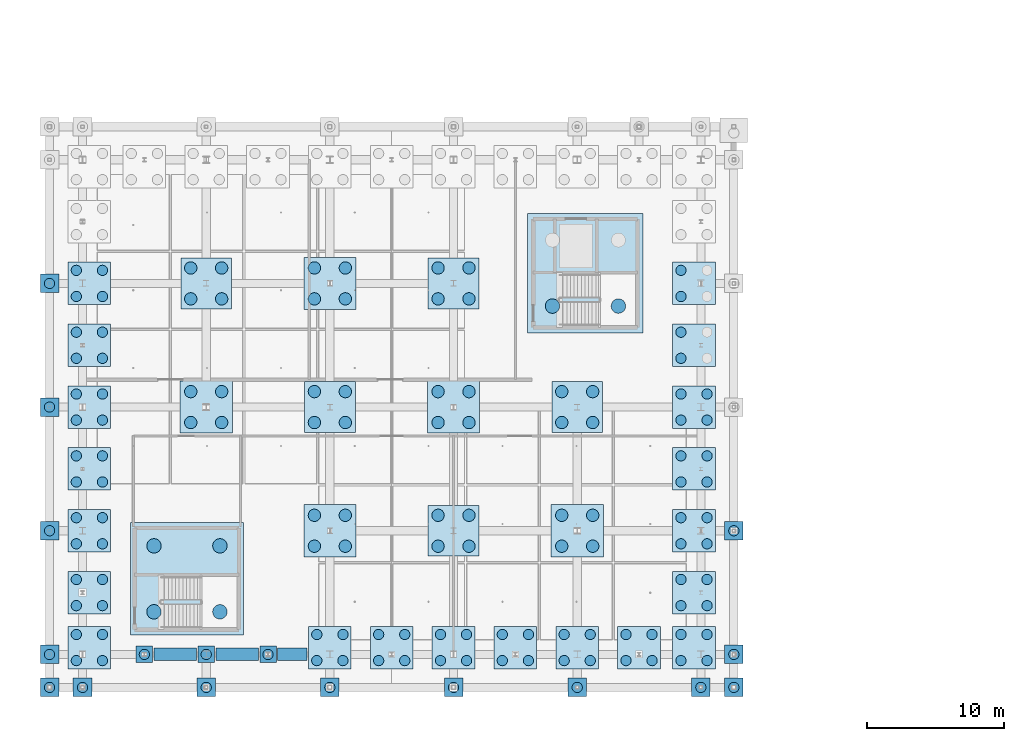
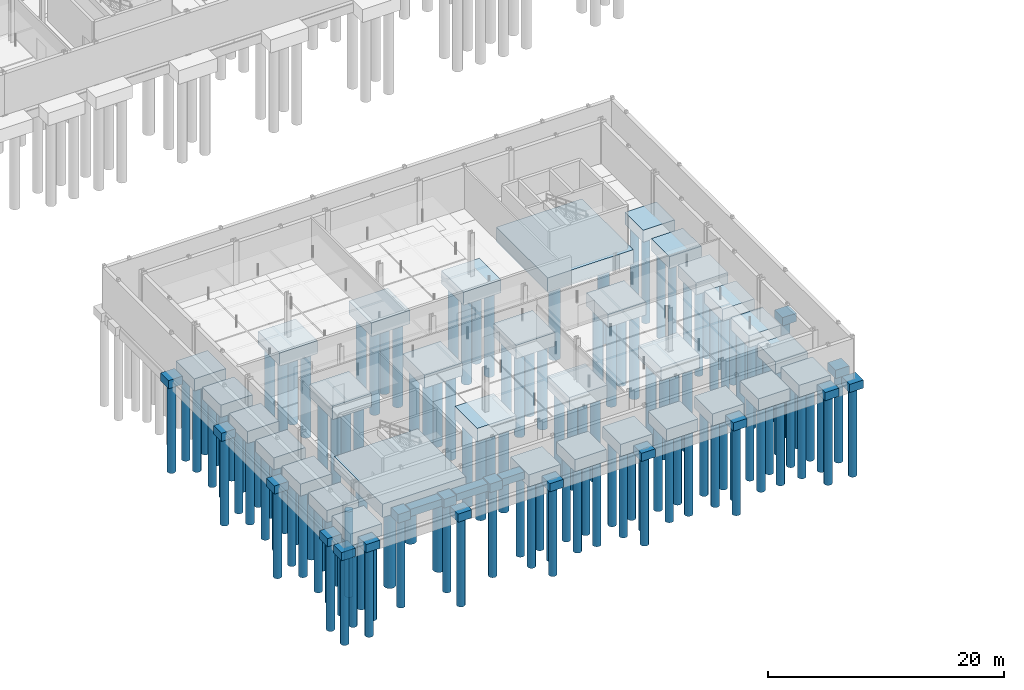
# One storey, part 1 of 48: 139 piles, 52 footings.
"""IFC4 building model written with IfcOpenShell, lengths in metres."""

from ifc_helpers import new_model, si_unit, direction, frame, origin, origin_2d, place, context, subcontext, project, spatial, rectangle, circle, extrude, material, material_profile, profile_set, type_object, element, save


model = new_model("IFC4")

# Units and contexts
model_context = context("Model", 3, precision=1e-05, world=origin(), true_north=direction((0.0, 1.0)))
body_context = subcontext(model_context, "Body", "Model", "MODEL_VIEW")
ifc_project = project(units=[si_unit("LENGTHUNIT", "METRE"), si_unit("AREAUNIT", "SQUARE_METRE"), si_unit("VOLUMEUNIT", "CUBIC_METRE"), si_unit("PLANEANGLEUNIT", "RADIAN"), si_unit("MASSUNIT", "GRAM", prefix="KILO"), si_unit("THERMODYNAMICTEMPERATUREUNIT", "KELVIN"), si_unit("POWERUNIT", "WATT")], contexts=[model_context])

# Site, building, storey
site_placement = place(None, origin())
site = spatial("IfcSite", under=ifc_project, at=site_placement, CompositionType="ELEMENT")
building_placement = place(site_placement, origin())
building = spatial("IfcBuilding", under=site, at=building_placement, Name="Tallowbark Science Centre", CompositionType="ELEMENT")
storey_placement = place(building_placement, frame((0.0, 0.0, -4.5)))
storey = spatial("IfcBuildingStorey", under=building, at=storey_placement, Name="B1", CompositionType="ELEMENT", Elevation=-4.5)

# Footings
ifc_material = material(Name="Concrete Grade N40 (40 MPa)", Category="concrete")
footing_type_1 = type_object("IfcFootingType", Name="FTG-CORE-C3", PredefinedType="PILE_CAP", material=ifc_material)
footing_1_placement = place(storey_placement, frame((95.10009765625, 32.25, -1.5), z_axis=(0.0, 0.0, 1.0), x_axis=(1.0, 0.0, 0.0)))
element("IfcFooting", 1, at=footing_1_placement, inside=storey, type_object=footing_type_1, Name="Core Mat Pile Cap C3", PredefinedType="PILE_CAP", context=body_context, shape_type="SweptSolid", body=[
    extrude(rectangle(XDim=8.39990234375, YDim=8.699951171875, at=origin_2d()), origin(), (0.0, 0.0, 1.0), 1.5),
])
footing_type_2 = type_object("IfcFootingType", Name="FTG-CORE-C7", PredefinedType="PILE_CAP", material=ifc_material)
footing_2_placement = place(storey_placement, frame((66.10009765625, 10.0, -1.39990234375), z_axis=(0.0, 0.0, 1.0), x_axis=(1.0, 0.0, 0.0)))
element("IfcFooting", 2, at=footing_2_placement, inside=storey, type_object=footing_type_2, Name="Core Mat Pile Cap C7", PredefinedType="PILE_CAP", context=body_context, shape_type="SweptSolid", body=[
    extrude(rectangle(XDim=8.199951171875, YDim=8.199951171875, at=origin_2d()), origin(), (0.0, 0.0, 1.0), 1.39990234375),
])
footing_type_3 = type_object("IfcFootingType", Name="FTG-PC1-110", PredefinedType="PILE_CAP", material=ifc_material)
for number, where, z_axis, x_axis, name in (
    (3, (67.5, 4.5, -0.89990234375), (0.0, 0.0, 1.0), (1.0, 0.0, 0.0), "Pile Cap CUB-M1_0"),
    (4, (63.0, 4.5, -0.89990234375), (0.0, 0.0, 1.0), (1.0, 0.0, 0.0), "Pile Cap CUB-PS-0"),
    (5, (72.0, 4.5, -0.89990234375), (0.0, 0.0, 1.0), (1.0, 0.0, 0.0), "Pile Cap CUB-PS-1"),
):
    element("IfcFooting", number, at=place(storey_placement, frame(where, z_axis=z_axis, x_axis=x_axis)), inside=storey, type_object=footing_type_3, Name=name, PredefinedType="PILE_CAP", context=body_context, shape_type="SweptSolid", body=[
        extrude(rectangle(XDim=1.199951171875, YDim=1.199951171875, at=origin_2d()), origin(), (0.0, 0.0, 1.0), 0.89990234375),
    ])
footing_type_4 = type_object("IfcFootingType", Name="FTG-PC1-130", PredefinedType="PILE_CAP", material=ifc_material)
for number, where, z_axis, x_axis, name in (
    (6, (56.10009765625, 2.10009765625, -0.85009765625), (0.0, 0.0, 1.0), (1.0, 0.0, 0.0), "Pile Cap SCR-S00"),
    (7, (58.5, 2.10009765625, -0.85009765625), (0.0, 0.0, 1.0), (1.0, 0.0, 0.0), "Pile Cap SCR-S01"),
    (8, (67.5, 2.10009765625, -0.85009765625), (0.0, 0.0, 1.0), (1.0, 0.0, 0.0), "Pile Cap SCR-S02"),
    (9, (76.5, 2.10009765625, -0.85009765625), (0.0, 0.0, 1.0), (1.0, 0.0, 0.0), "Pile Cap SCR-S03"),
    (10, (85.5, 2.10009765625, -0.85009765625), (0.0, 0.0, 1.0), (1.0, 0.0, 0.0), "Pile Cap SCR-S04"),
    (11, (94.5, 2.10009765625, -0.85009765625), (0.0, 0.0, 1.0), (1.0, 0.0, 0.0), "Pile Cap SCR-S05"),
    (12, (103.5, 2.10009765625, -0.85009765625), (0.0, 0.0, 1.0), (1.0, 0.0, 0.0), "Pile Cap SCR-S06"),
    (13, (105.89990234375, 2.10009765625, -0.85009765625), (0.0, 0.0, 1.0), (1.0, 0.0, 0.0), "Pile Cap SCR-S07"),
    (14, (56.10009765625, 4.5, -0.85009765625), (0.0, 0.0, 1.0), (1.0, 0.0, 0.0), "Pile Cap SCR-W01"),
    (15, (105.89990234375, 4.5, -0.85009765625), (0.0, 0.0, 1.0), (1.0, 0.0, 0.0), "Pile Cap SCR-E01"),
    (16, (56.10009765625, 13.5, -0.85009765625), (0.0, 0.0, 1.0), (1.0, 0.0, 0.0), "Pile Cap SCR-W02"),
    (17, (105.89990234375, 13.5, -0.85009765625), (0.0, 0.0, 1.0), (1.0, 0.0, 0.0), "Pile Cap SCR-E02"),
    (18, (56.10009765625, 22.5, -0.85009765625), (0.0, 0.0, 1.0), (1.0, 0.0, 0.0), "Pile Cap SCR-W03"),
    (19, (56.10009765625, 31.5, -0.85009765625), (0.0, 0.0, 1.0), (1.0, 0.0, 0.0), "Pile Cap SCR-W04"),
):
    element("IfcFooting", number, at=place(storey_placement, frame(where, z_axis=z_axis, x_axis=x_axis)), inside=storey, type_object=footing_type_4, Name=name, PredefinedType="PILE_CAP", context=body_context, shape_type="SweptSolid", body=[
        extrude(rectangle(XDim=1.35009765625, YDim=1.35009765625, at=origin_2d()), origin(), (0.0, 0.0, 1.0), 0.85009765625),
    ])
footing_type_5 = type_object("IfcFootingType", Name="FTG-PC4-230", PredefinedType="PILE_CAP", material=ifc_material)
for number, where, z_axis, x_axis, name in (
    (20, (59.0, 5.0, -1.25), (0.0, 0.0, 1.0), (1.0, 0.0, 0.0), "Pile Cap CUB-M0_0"),
    (21, (59.0, 13.5, -1.25), (0.0, 0.0, 1.0), (1.0, 0.0, 0.0), "Pile Cap CUB-M0_1"),
    (22, (59.0, 22.5, -1.25), (0.0, 0.0, 1.0), (1.0, 0.0, 0.0), "Pile Cap CUB-M0_2"),
    (23, (59.0, 31.5, -1.25), (0.0, 0.0, 1.0), (1.0, 0.0, 0.0), "Pile Cap CUB-M0_3"),
    (24, (76.5, 5.0, -1.25), (0.0, 0.0, 1.0), (1.0, 0.0, 0.0), "Pile Cap CUB-M2_0"),
    (25, (85.5, 5.0, -1.25), (0.0, 0.0, 1.0), (1.0, 0.0, 0.0), "Pile Cap CUB-M3_0"),
    (26, (94.5, 5.0, -1.25), (0.0, 0.0, 1.0), (1.0, 0.0, 0.0), "Pile Cap CUB-M4_0"),
    (27, (103.0, 5.0, -1.25), (0.0, 0.0, 1.0), (1.0, 0.0, 0.0), "Pile Cap CUB-M5_0"),
    (28, (103.0, 13.5, -1.25), (0.0, 0.0, 1.0), (1.0, 0.0, 0.0), "Pile Cap CUB-M5_1"),
    (29, (103.0, 22.5, -1.25), (0.0, 0.0, 1.0), (1.0, 0.0, 0.0), "Pile Cap CUB-M5_2"),
    (30, (103.0, 31.5, -1.25), (0.0, 0.0, 1.0), (1.0, 0.0, 0.0), "Pile Cap CUB-M5_3"),
    (31, (81.0, 5.0, -1.25), (0.0, 0.0, 1.0), (1.0, 0.0, 0.0), "Pile Cap CUB-PSB-2"),
    (32, (90.0, 5.0, -1.25), (0.0, 0.0, 1.0), (1.0, 0.0, 0.0), "Pile Cap CUB-PS-3"),
    (33, (99.0, 5.0, -1.25), (0.0, 0.0, 1.0), (1.0, 0.0, 0.0), "Pile Cap CUB-PS-4"),
    (34, (59.0, 9.0, -1.25), (0.0, 0.0, 1.0), (1.0, 0.0, 0.0), "Pile Cap CUB-PW-0"),
    (35, (103.0, 9.0, -1.25), (0.0, 0.0, 1.0), (1.0, 0.0, 0.0), "Pile Cap CUB-PE-0"),
    (36, (59.0, 18.0, -1.25), (0.0, 0.0, 1.0), (1.0, 0.0, 0.0), "Pile Cap CUB-PW-1"),
    (37, (103.0, 18.0, -1.25), (0.0, 0.0, 1.0), (1.0, 0.0, 0.0), "Pile Cap CUB-PE-1"),
    (38, (59.0, 27.0, -1.25), (0.0, 0.0, 1.0), (1.0, 0.0, 0.0), "Pile Cap CUB-PW-2"),
    (39, (103.0, 27.0, -1.25), (0.0, 0.0, 1.0), (1.0, 0.0, 0.0), "Pile Cap CUB-PE-2"),
):
    element("IfcFooting", number, at=place(storey_placement, frame(where, z_axis=z_axis, x_axis=x_axis)), inside=storey, type_object=footing_type_5, Name=name, PredefinedType="PILE_CAP", context=body_context, shape_type="SweptSolid", body=[
        extrude(rectangle(XDim=3.10009765625, YDim=3.10009765625, at=origin_2d()), origin(), (0.0, 0.0, 1.0), 1.25),
    ])
footing_type_6 = type_object("IfcFootingType", Name="FTG-PC4-270", PredefinedType="PILE_CAP", material=ifc_material)
for number, where, z_axis, x_axis, name in (
    (40, (67.5, 31.5, -1.35009765625), (0.0, 0.0, 1.0), (1.0, 0.0, 0.0), "Pile Cap CUB-M1_3"),
    (41, (76.5, 22.5, -1.35009765625), (0.0, 0.0, 1.0), (1.0, 0.0, 0.0), "Pile Cap CUB-M2_2"),
    (42, (85.5, 13.5, -1.35009765625), (0.0, 0.0, 1.0), (1.0, 0.0, 0.0), "Pile Cap CUB-M3_1"),
    (43, (85.5, 31.5, -1.35009765625), (0.0, 0.0, 1.0), (1.0, 0.0, 0.0), "Pile Cap CUB-M3_3"),
    (44, (94.5, 22.5, -1.35009765625), (0.0, 0.0, 1.0), (1.0, 0.0, 0.0), "Pile Cap CUB-M4_2"),
):
    element("IfcFooting", number, at=place(storey_placement, frame(where, z_axis=z_axis, x_axis=x_axis)), inside=storey, type_object=footing_type_6, Name=name, PredefinedType="PILE_CAP", context=body_context, shape_type="SweptSolid", body=[
        extrude(rectangle(XDim=3.699951171875, YDim=3.699951171875, at=origin_2d()), origin(), (0.0, 0.0, 1.0), 1.35009765625),
    ])
footing_type_7 = type_object("IfcFootingType", Name="FTG-PC4-280", PredefinedType="PILE_CAP", material=ifc_material)
for number, where, z_axis, x_axis, name in (
    (45, (67.5, 22.5, -1.39990234375), (0.0, 0.0, 1.0), (1.0, 0.0, 0.0), "Pile Cap CUB-M1_2"),
    (46, (76.5, 13.5, -1.39990234375), (0.0, 0.0, 1.0), (1.0, 0.0, 0.0), "Pile Cap CUB-M2_1"),
    (47, (76.5, 31.5, -1.39990234375), (0.0, 0.0, 1.0), (1.0, 0.0, 0.0), "Pile Cap CUB-M2_3"),
    (48, (85.5, 22.5, -1.39990234375), (0.0, 0.0, 1.0), (1.0, 0.0, 0.0), "Pile Cap CUB-M3_2"),
    (49, (94.5, 13.5, -1.39990234375), (0.0, 0.0, 1.0), (1.0, 0.0, 0.0), "Pile Cap CUB-M4_1"),
):
    element("IfcFooting", number, at=place(storey_placement, frame(where, z_axis=z_axis, x_axis=x_axis)), inside=storey, type_object=footing_type_7, Name=name, PredefinedType="PILE_CAP", context=body_context, shape_type="SweptSolid", body=[
        extrude(rectangle(XDim=3.800048828125, YDim=3.800048828125, at=origin_2d()), origin(), (0.0, 0.0, 1.0), 1.39990234375),
    ])
footing_type_8 = type_object("IfcFootingType", Name="FTG-STR-900", PredefinedType="STRIP_FOOTING", material=ifc_material)
for number, where, z_axis, x_axis, name in (
    (50, (65.25, 4.5, -0.75), (0.0, 0.0, 1.0), (1.0, 0.0, 0.0), "Strip Footing STR-S1"),
    (51, (69.75, 4.5, -0.75), (0.0, 0.0, 1.0), (1.0, 0.0, 0.0), "Strip Footing STR-S2"),
):
    element("IfcFooting", number, at=place(storey_placement, frame(where, z_axis=z_axis, x_axis=x_axis)), inside=storey, type_object=footing_type_8, Name=name, PredefinedType="STRIP_FOOTING", context=body_context, shape_type="SweptSolid", body=[
        extrude(rectangle(XDim=3.10009765625, YDim=0.89990234375, at=origin_2d()), origin(), (0.0, 0.0, 1.0), 0.75),
    ])
footing_3_placement = place(storey_placement, frame((73.77490234375, 4.5, -0.75), z_axis=(0.0, 0.0, 1.0), x_axis=(1.0, 0.0, 0.0)))
element("IfcFooting", 52, at=footing_3_placement, inside=storey, type_object=footing_type_8, Name="Strip Footing STR-S3", PredefinedType="STRIP_FOOTING", context=body_context, shape_type="SweptSolid", body=[
    extrude(rectangle(XDim=2.14990234375, YDim=0.89990234375, at=origin_2d()), origin(), (0.0, 0.0, 1.0), 0.75),
])

# Piles
ifc_material_profile_1 = material_profile(ifc_material, circle(Radius=0.52490234375, at=origin_2d()), Name="PILE1050")
ifc_profile_set_1 = profile_set([ifc_material_profile_1], Name="Concrete Grade N40 (40 MPa)")
pile_type_1 = type_object("IfcPileType", Name="PIL-B1050", PredefinedType="BORED", material=ifc_profile_set_1)
for number, where, z_axis, x_axis, name in (
    (53, (92.699951171875, 29.85009765625, -1.35009765625), (0.0, 0.0, -1.0), (1.0, 0.0, 0.0), "Core Bored Pile C3-1"),
    (54, (97.5, 29.85009765625, -1.35009765625), (0.0, 0.0, -1.0), (1.0, 0.0, 0.0), "Core Bored Pile C3-2"),
):
    element("IfcPile", number, at=place(storey_placement, frame(where, z_axis=z_axis, x_axis=x_axis)), inside=storey, type_object=pile_type_1, Name=name, PredefinedType="BORED", context=body_context, shape_type="SweptSolid", body=[
        extrude(circle(Radius=0.52490234375, at=origin_2d()), origin(), (0.0, 0.0, 1.0), 8.64990234375),
    ])
for number, where, z_axis, x_axis, name in (
    (55, (63.699951171875, 7.60009765625, -1.25), (0.0, 0.0, -1.0), (1.0, 0.0, 0.0), "Core Bored Pile C7-1"),
    (56, (68.5, 7.60009765625, -1.25), (0.0, 0.0, -1.0), (1.0, 0.0, 0.0), "Core Bored Pile C7-2"),
    (57, (63.699951171875, 12.39990234375, -1.25), (0.0, 0.0, -1.0), (1.0, 0.0, 0.0), "Core Bored Pile C7-3"),
    (58, (68.5, 12.39990234375, -1.25), (0.0, 0.0, -1.0), (1.0, 0.0, 0.0), "Core Bored Pile C7-4"),
):
    element("IfcPile", number, at=place(storey_placement, frame(where, z_axis=z_axis, x_axis=x_axis)), inside=storey, type_object=pile_type_1, Name=name, PredefinedType="BORED", context=body_context, shape_type="SweptSolid", body=[
        extrude(circle(Radius=0.52490234375, at=origin_2d()), origin(), (0.0, 0.0, 1.0), 8.75),
    ])
ifc_material_profile_2 = material_profile(ifc_material, circle(Radius=0.375, at=origin_2d()), Name="PILE750")
ifc_profile_set_2 = profile_set([ifc_material_profile_2], Name="Concrete Grade N40 (40 MPa)")
pile_type_2 = type_object("IfcPileType", Name="PIL-B750", PredefinedType="BORED", material=ifc_profile_set_2)
for number, where, z_axis, x_axis, name in (
    (59, (58.050048828125, 4.050048828125, -1.10009765625), (0.0, 0.0, -1.0), (1.0, 0.0, 0.0), "Bored Pile CUB-M0_0-1"),
    (60, (59.949951171875, 4.050048828125, -1.10009765625), (0.0, 0.0, -1.0), (1.0, 0.0, 0.0), "Bored Pile CUB-M0_0-2"),
    (61, (58.050048828125, 5.949951171875, -1.10009765625), (0.0, 0.0, -1.0), (1.0, 0.0, 0.0), "Bored Pile CUB-M0_0-3"),
    (62, (59.949951171875, 5.949951171875, -1.10009765625), (0.0, 0.0, -1.0), (1.0, 0.0, 0.0), "Bored Pile CUB-M0_0-4"),
    (63, (58.050048828125, 12.550048828125, -1.10009765625), (0.0, 0.0, -1.0), (1.0, 0.0, 0.0), "Bored Pile CUB-M0_1-1"),
    (64, (59.949951171875, 12.550048828125, -1.10009765625), (0.0, 0.0, -1.0), (1.0, 0.0, 0.0), "Bored Pile CUB-M0_1-2"),
    (65, (58.050048828125, 14.449951171875, -1.10009765625), (0.0, 0.0, -1.0), (1.0, 0.0, 0.0), "Bored Pile CUB-M0_1-3"),
    (66, (59.949951171875, 14.449951171875, -1.10009765625), (0.0, 0.0, -1.0), (1.0, 0.0, 0.0), "Bored Pile CUB-M0_1-4"),
    (67, (58.050048828125, 21.550048828125, -1.10009765625), (0.0, 0.0, -1.0), (1.0, 0.0, 0.0), "Bored Pile CUB-M0_2-1"),
    (68, (59.949951171875, 21.550048828125, -1.10009765625), (0.0, 0.0, -1.0), (1.0, 0.0, 0.0), "Bored Pile CUB-M0_2-2"),
    (69, (58.050048828125, 23.449951171875, -1.10009765625), (0.0, 0.0, -1.0), (1.0, 0.0, 0.0), "Bored Pile CUB-M0_2-3"),
    (70, (59.949951171875, 23.449951171875, -1.10009765625), (0.0, 0.0, -1.0), (1.0, 0.0, 0.0), "Bored Pile CUB-M0_2-4"),
    (71, (58.050048828125, 30.550048828125, -1.10009765625), (0.0, 0.0, -1.0), (1.0, 0.0, 0.0), "Bored Pile CUB-M0_3-1"),
    (72, (59.949951171875, 30.550048828125, -1.10009765625), (0.0, 0.0, -1.0), (1.0, 0.0, 0.0), "Bored Pile CUB-M0_3-2"),
    (73, (58.050048828125, 32.449951171875, -1.10009765625), (0.0, 0.0, -1.0), (1.0, 0.0, 0.0), "Bored Pile CUB-M0_3-3"),
    (74, (59.949951171875, 32.449951171875, -1.10009765625), (0.0, 0.0, -1.0), (1.0, 0.0, 0.0), "Bored Pile CUB-M0_3-4"),
):
    element("IfcPile", number, at=place(storey_placement, frame(where, z_axis=z_axis, x_axis=x_axis)), inside=storey, type_object=pile_type_2, Name=name, PredefinedType="BORED", context=body_context, shape_type="SweptSolid", body=[
        extrude(circle(Radius=0.375, at=origin_2d()), origin(), (0.0, 0.0, 1.0), 8.89990234375),
    ])
pile_placement = place(storey_placement, frame((67.5, 4.5, -0.75), z_axis=(0.0, 0.0, -1.0), x_axis=(1.0, 0.0, 0.0)))
element("IfcPile", 75, at=pile_placement, inside=storey, type_object=pile_type_2, Name="Bored Pile CUB-M1_0-1", PredefinedType="BORED", context=body_context, shape_type="SweptSolid", body=[
    extrude(circle(Radius=0.375, at=origin_2d()), origin(), (0.0, 0.0, 1.0), 9.25),
])
for number, where, z_axis, x_axis, name in (
    (76, (75.550048828125, 4.050048828125, -1.10009765625), (0.0, 0.0, -1.0), (1.0, 0.0, 0.0), "Bored Pile CUB-M2_0-1"),
    (77, (77.449951171875, 4.050048828125, -1.10009765625), (0.0, 0.0, -1.0), (1.0, 0.0, 0.0), "Bored Pile CUB-M2_0-2"),
    (78, (75.550048828125, 5.949951171875, -1.10009765625), (0.0, 0.0, -1.0), (1.0, 0.0, 0.0), "Bored Pile CUB-M2_0-3"),
    (79, (77.449951171875, 5.949951171875, -1.10009765625), (0.0, 0.0, -1.0), (1.0, 0.0, 0.0), "Bored Pile CUB-M2_0-4"),
    (80, (84.550048828125, 4.050048828125, -1.10009765625), (0.0, 0.0, -1.0), (1.0, 0.0, 0.0), "Bored Pile CUB-M3_0-1"),
    (81, (86.449951171875, 4.050048828125, -1.10009765625), (0.0, 0.0, -1.0), (1.0, 0.0, 0.0), "Bored Pile CUB-M3_0-2"),
    (82, (84.550048828125, 5.949951171875, -1.10009765625), (0.0, 0.0, -1.0), (1.0, 0.0, 0.0), "Bored Pile CUB-M3_0-3"),
    (83, (86.449951171875, 5.949951171875, -1.10009765625), (0.0, 0.0, -1.0), (1.0, 0.0, 0.0), "Bored Pile CUB-M3_0-4"),
    (84, (93.550048828125, 4.050048828125, -1.10009765625), (0.0, 0.0, -1.0), (1.0, 0.0, 0.0), "Bored Pile CUB-M4_0-1"),
    (85, (95.449951171875, 4.050048828125, -1.10009765625), (0.0, 0.0, -1.0), (1.0, 0.0, 0.0), "Bored Pile CUB-M4_0-2"),
    (86, (93.550048828125, 5.949951171875, -1.10009765625), (0.0, 0.0, -1.0), (1.0, 0.0, 0.0), "Bored Pile CUB-M4_0-3"),
    (87, (95.449951171875, 5.949951171875, -1.10009765625), (0.0, 0.0, -1.0), (1.0, 0.0, 0.0), "Bored Pile CUB-M4_0-4"),
    (88, (102.050048828125, 4.050048828125, -1.10009765625), (0.0, 0.0, -1.0), (1.0, 0.0, 0.0), "Bored Pile CUB-M5_0-1"),
    (89, (103.949951171875, 4.050048828125, -1.10009765625), (0.0, 0.0, -1.0), (1.0, 0.0, 0.0), "Bored Pile CUB-M5_0-2"),
    (90, (102.050048828125, 5.949951171875, -1.10009765625), (0.0, 0.0, -1.0), (1.0, 0.0, 0.0), "Bored Pile CUB-M5_0-3"),
    (91, (103.949951171875, 5.949951171875, -1.10009765625), (0.0, 0.0, -1.0), (1.0, 0.0, 0.0), "Bored Pile CUB-M5_0-4"),
    (92, (102.050048828125, 12.550048828125, -1.10009765625), (0.0, 0.0, -1.0), (1.0, 0.0, 0.0), "Bored Pile CUB-M5_1-1"),
    (93, (103.949951171875, 12.550048828125, -1.10009765625), (0.0, 0.0, -1.0), (1.0, 0.0, 0.0), "Bored Pile CUB-M5_1-2"),
    (94, (102.050048828125, 14.449951171875, -1.10009765625), (0.0, 0.0, -1.0), (1.0, 0.0, 0.0), "Bored Pile CUB-M5_1-3"),
    (95, (103.949951171875, 14.449951171875, -1.10009765625), (0.0, 0.0, -1.0), (1.0, 0.0, 0.0), "Bored Pile CUB-M5_1-4"),
    (96, (102.050048828125, 21.550048828125, -1.10009765625), (0.0, 0.0, -1.0), (1.0, 0.0, 0.0), "Bored Pile CUB-M5_2-1"),
    (97, (103.949951171875, 21.550048828125, -1.10009765625), (0.0, 0.0, -1.0), (1.0, 0.0, 0.0), "Bored Pile CUB-M5_2-2"),
    (98, (102.050048828125, 23.449951171875, -1.10009765625), (0.0, 0.0, -1.0), (1.0, 0.0, 0.0), "Bored Pile CUB-M5_2-3"),
    (99, (103.949951171875, 23.449951171875, -1.10009765625), (0.0, 0.0, -1.0), (1.0, 0.0, 0.0), "Bored Pile CUB-M5_2-4"),
    (100, (102.050048828125, 30.550048828125, -1.10009765625), (0.0, 0.0, -1.0), (1.0, 0.0, 0.0), "Bored Pile CUB-M5_3-1"),
    (101, (102.050048828125, 32.449951171875, -1.10009765625), (0.0, 0.0, -1.0), (1.0, 0.0, 0.0), "Bored Pile CUB-M5_3-3"),
):
    element("IfcPile", number, at=place(storey_placement, frame(where, z_axis=z_axis, x_axis=x_axis)), inside=storey, type_object=pile_type_2, Name=name, PredefinedType="BORED", context=body_context, shape_type="SweptSolid", body=[
        extrude(circle(Radius=0.375, at=origin_2d()), origin(), (0.0, 0.0, 1.0), 8.89990234375),
    ])
for number, where, z_axis, x_axis, name in (
    (102, (63.0, 4.5, -0.75), (0.0, 0.0, -1.0), (1.0, 0.0, 0.0), "Bored Pile CUB-PS-0-1"),
    (103, (72.0, 4.5, -0.75), (0.0, 0.0, -1.0), (1.0, 0.0, 0.0), "Bored Pile CUB-PS-1-1"),
):
    element("IfcPile", number, at=place(storey_placement, frame(where, z_axis=z_axis, x_axis=x_axis)), inside=storey, type_object=pile_type_2, Name=name, PredefinedType="BORED", context=body_context, shape_type="SweptSolid", body=[
        extrude(circle(Radius=0.375, at=origin_2d()), origin(), (0.0, 0.0, 1.0), 9.25),
    ])
for number, where, z_axis, x_axis, name in (
    (104, (80.050048828125, 4.050048828125, -1.10009765625), (0.0, 0.0, -1.0), (1.0, 0.0, 0.0), "Bored Pile CUB-PSB-2-1"),
    (105, (81.949951171875, 4.050048828125, -1.10009765625), (0.0, 0.0, -1.0), (1.0, 0.0, 0.0), "Bored Pile CUB-PSB-2-2"),
    (106, (80.050048828125, 5.949951171875, -1.10009765625), (0.0, 0.0, -1.0), (1.0, 0.0, 0.0), "Bored Pile CUB-PSB-2-3"),
    (107, (81.949951171875, 5.949951171875, -1.10009765625), (0.0, 0.0, -1.0), (1.0, 0.0, 0.0), "Bored Pile CUB-PSB-2-4"),
    (108, (89.050048828125, 4.050048828125, -1.10009765625), (0.0, 0.0, -1.0), (1.0, 0.0, 0.0), "Bored Pile CUB-PS-3-1"),
    (109, (90.949951171875, 4.050048828125, -1.10009765625), (0.0, 0.0, -1.0), (1.0, 0.0, 0.0), "Bored Pile CUB-PS-3-2"),
    (110, (89.050048828125, 5.949951171875, -1.10009765625), (0.0, 0.0, -1.0), (1.0, 0.0, 0.0), "Bored Pile CUB-PS-3-3"),
    (111, (90.949951171875, 5.949951171875, -1.10009765625), (0.0, 0.0, -1.0), (1.0, 0.0, 0.0), "Bored Pile CUB-PS-3-4"),
    (112, (98.050048828125, 4.050048828125, -1.10009765625), (0.0, 0.0, -1.0), (1.0, 0.0, 0.0), "Bored Pile CUB-PS-4-1"),
    (113, (99.949951171875, 4.050048828125, -1.10009765625), (0.0, 0.0, -1.0), (1.0, 0.0, 0.0), "Bored Pile CUB-PS-4-2"),
    (114, (98.050048828125, 5.949951171875, -1.10009765625), (0.0, 0.0, -1.0), (1.0, 0.0, 0.0), "Bored Pile CUB-PS-4-3"),
    (115, (99.949951171875, 5.949951171875, -1.10009765625), (0.0, 0.0, -1.0), (1.0, 0.0, 0.0), "Bored Pile CUB-PS-4-4"),
    (116, (58.050048828125, 8.050048828125, -1.10009765625), (0.0, 0.0, -1.0), (1.0, 0.0, 0.0), "Bored Pile CUB-PW-0-1"),
    (117, (59.949951171875, 8.050048828125, -1.10009765625), (0.0, 0.0, -1.0), (1.0, 0.0, 0.0), "Bored Pile CUB-PW-0-2"),
    (118, (58.050048828125, 9.949951171875, -1.10009765625), (0.0, 0.0, -1.0), (1.0, 0.0, 0.0), "Bored Pile CUB-PW-0-3"),
    (119, (59.949951171875, 9.949951171875, -1.10009765625), (0.0, 0.0, -1.0), (1.0, 0.0, 0.0), "Bored Pile CUB-PW-0-4"),
    (120, (102.050048828125, 8.050048828125, -1.10009765625), (0.0, 0.0, -1.0), (1.0, 0.0, 0.0), "Bored Pile CUB-PE-0-1"),
    (121, (103.949951171875, 8.050048828125, -1.10009765625), (0.0, 0.0, -1.0), (1.0, 0.0, 0.0), "Bored Pile CUB-PE-0-2"),
    (122, (102.050048828125, 9.949951171875, -1.10009765625), (0.0, 0.0, -1.0), (1.0, 0.0, 0.0), "Bored Pile CUB-PE-0-3"),
    (123, (103.949951171875, 9.949951171875, -1.10009765625), (0.0, 0.0, -1.0), (1.0, 0.0, 0.0), "Bored Pile CUB-PE-0-4"),
    (124, (58.050048828125, 17.050048828125, -1.10009765625), (0.0, 0.0, -1.0), (1.0, 0.0, 0.0), "Bored Pile CUB-PW-1-1"),
    (125, (59.949951171875, 17.050048828125, -1.10009765625), (0.0, 0.0, -1.0), (1.0, 0.0, 0.0), "Bored Pile CUB-PW-1-2"),
    (126, (58.050048828125, 18.949951171875, -1.10009765625), (0.0, 0.0, -1.0), (1.0, 0.0, 0.0), "Bored Pile CUB-PW-1-3"),
    (127, (59.949951171875, 18.949951171875, -1.10009765625), (0.0, 0.0, -1.0), (1.0, 0.0, 0.0), "Bored Pile CUB-PW-1-4"),
    (128, (102.050048828125, 17.050048828125, -1.10009765625), (0.0, 0.0, -1.0), (1.0, 0.0, 0.0), "Bored Pile CUB-PE-1-1"),
    (129, (103.949951171875, 17.050048828125, -1.10009765625), (0.0, 0.0, -1.0), (1.0, 0.0, 0.0), "Bored Pile CUB-PE-1-2"),
    (130, (102.050048828125, 18.949951171875, -1.10009765625), (0.0, 0.0, -1.0), (1.0, 0.0, 0.0), "Bored Pile CUB-PE-1-3"),
    (131, (103.949951171875, 18.949951171875, -1.10009765625), (0.0, 0.0, -1.0), (1.0, 0.0, 0.0), "Bored Pile CUB-PE-1-4"),
    (132, (58.050048828125, 26.050048828125, -1.10009765625), (0.0, 0.0, -1.0), (1.0, 0.0, 0.0), "Bored Pile CUB-PW-2-1"),
    (133, (59.949951171875, 26.050048828125, -1.10009765625), (0.0, 0.0, -1.0), (1.0, 0.0, 0.0), "Bored Pile CUB-PW-2-2"),
    (134, (58.050048828125, 27.949951171875, -1.10009765625), (0.0, 0.0, -1.0), (1.0, 0.0, 0.0), "Bored Pile CUB-PW-2-3"),
    (135, (59.949951171875, 27.949951171875, -1.10009765625), (0.0, 0.0, -1.0), (1.0, 0.0, 0.0), "Bored Pile CUB-PW-2-4"),
    (136, (102.050048828125, 26.050048828125, -1.10009765625), (0.0, 0.0, -1.0), (1.0, 0.0, 0.0), "Bored Pile CUB-PE-2-1"),
    (137, (102.050048828125, 27.949951171875, -1.10009765625), (0.0, 0.0, -1.0), (1.0, 0.0, 0.0), "Bored Pile CUB-PE-2-3"),
):
    element("IfcPile", number, at=place(storey_placement, frame(where, z_axis=z_axis, x_axis=x_axis)), inside=storey, type_object=pile_type_2, Name=name, PredefinedType="BORED", context=body_context, shape_type="SweptSolid", body=[
        extrude(circle(Radius=0.375, at=origin_2d()), origin(), (0.0, 0.0, 1.0), 8.89990234375),
    ])
for number, where, z_axis, x_axis, name in (
    (138, (56.10009765625, 2.10009765625, -0.699951171875), (0.0, 0.0, -1.0), (1.0, 0.0, 0.0), "Bored Pile SCR-S00-1"),
    (139, (58.5, 2.10009765625, -0.699951171875), (0.0, 0.0, -1.0), (1.0, 0.0, 0.0), "Bored Pile SCR-S01-1"),
    (140, (67.5, 2.10009765625, -0.699951171875), (0.0, 0.0, -1.0), (1.0, 0.0, 0.0), "Bored Pile SCR-S02-1"),
    (141, (76.5, 2.10009765625, -0.699951171875), (0.0, 0.0, -1.0), (1.0, 0.0, 0.0), "Bored Pile SCR-S03-1"),
    (142, (85.5, 2.10009765625, -0.699951171875), (0.0, 0.0, -1.0), (1.0, 0.0, 0.0), "Bored Pile SCR-S04-1"),
    (143, (94.5, 2.10009765625, -0.699951171875), (0.0, 0.0, -1.0), (1.0, 0.0, 0.0), "Bored Pile SCR-S05-1"),
    (144, (103.5, 2.10009765625, -0.699951171875), (0.0, 0.0, -1.0), (1.0, 0.0, 0.0), "Bored Pile SCR-S06-1"),
    (145, (105.89990234375, 2.10009765625, -0.699951171875), (0.0, 0.0, -1.0), (1.0, 0.0, 0.0), "Bored Pile SCR-S07-1"),
    (146, (56.10009765625, 4.5, -0.699951171875), (0.0, 0.0, -1.0), (1.0, 0.0, 0.0), "Bored Pile SCR-W01-1"),
    (147, (105.89990234375, 4.5, -0.699951171875), (0.0, 0.0, -1.0), (1.0, 0.0, 0.0), "Bored Pile SCR-E01-1"),
    (148, (56.10009765625, 13.5, -0.699951171875), (0.0, 0.0, -1.0), (1.0, 0.0, 0.0), "Bored Pile SCR-W02-1"),
    (149, (105.89990234375, 13.5, -0.699951171875), (0.0, 0.0, -1.0), (1.0, 0.0, 0.0), "Bored Pile SCR-E02-1"),
    (150, (56.10009765625, 22.5, -0.699951171875), (0.0, 0.0, -1.0), (1.0, 0.0, 0.0), "Bored Pile SCR-W03-1"),
    (151, (56.10009765625, 31.5, -0.699951171875), (0.0, 0.0, -1.0), (1.0, 0.0, 0.0), "Bored Pile SCR-W04-1"),
):
    element("IfcPile", number, at=place(storey_placement, frame(where, z_axis=z_axis, x_axis=x_axis)), inside=storey, type_object=pile_type_2, Name=name, PredefinedType="BORED", context=body_context, shape_type="SweptSolid", body=[
        extrude(circle(Radius=0.375, at=origin_2d()), origin(), (0.0, 0.0, 1.0), 9.300048828125),
    ])
ifc_material_profile_3 = material_profile(ifc_material, circle(Radius=0.449951171875, at=origin_2d()), Name="PILE900")
ifc_profile_set_3 = profile_set([ifc_material_profile_3], Name="Concrete Grade N40 (40 MPa)")
pile_type_3 = type_object("IfcPileType", Name="PIL-B900", PredefinedType="BORED", material=ifc_profile_set_3)
for number, where, z_axis, x_axis, name in (
    (152, (66.375, 21.375, -1.25), (0.0, 0.0, -1.0), (1.0, 0.0, 0.0), "Bored Pile CUB-M1_2-1"),
    (153, (68.625, 21.375, -1.25), (0.0, 0.0, -1.0), (1.0, 0.0, 0.0), "Bored Pile CUB-M1_2-2"),
    (154, (66.375, 23.625, -1.25), (0.0, 0.0, -1.0), (1.0, 0.0, 0.0), "Bored Pile CUB-M1_2-3"),
    (155, (68.625, 23.625, -1.25), (0.0, 0.0, -1.0), (1.0, 0.0, 0.0), "Bored Pile CUB-M1_2-4"),
):
    element("IfcPile", number, at=place(storey_placement, frame(where, z_axis=z_axis, x_axis=x_axis)), inside=storey, type_object=pile_type_3, Name=name, PredefinedType="BORED", context=body_context, shape_type="SweptSolid", body=[
        extrude(circle(Radius=0.449951171875, at=origin_2d()), origin(), (0.0, 0.0, 1.0), 8.75),
    ])
for number, where, z_axis, x_axis, name in (
    (156, (66.375, 30.375, -1.199951171875), (0.0, 0.0, -1.0), (1.0, 0.0, 0.0), "Bored Pile CUB-M1_3-1"),
    (157, (68.625, 30.375, -1.199951171875), (0.0, 0.0, -1.0), (1.0, 0.0, 0.0), "Bored Pile CUB-M1_3-2"),
    (158, (66.375, 32.625, -1.199951171875), (0.0, 0.0, -1.0), (1.0, 0.0, 0.0), "Bored Pile CUB-M1_3-3"),
    (159, (68.625, 32.625, -1.199951171875), (0.0, 0.0, -1.0), (1.0, 0.0, 0.0), "Bored Pile CUB-M1_3-4"),
):
    element("IfcPile", number, at=place(storey_placement, frame(where, z_axis=z_axis, x_axis=x_axis)), inside=storey, type_object=pile_type_3, Name=name, PredefinedType="BORED", context=body_context, shape_type="SweptSolid", body=[
        extrude(circle(Radius=0.449951171875, at=origin_2d()), origin(), (0.0, 0.0, 1.0), 8.800048828125),
    ])
for number, where, z_axis, x_axis, name in (
    (160, (75.375, 12.375, -1.25), (0.0, 0.0, -1.0), (1.0, 0.0, 0.0), "Bored Pile CUB-M2_1-1"),
    (161, (77.625, 12.375, -1.25), (0.0, 0.0, -1.0), (1.0, 0.0, 0.0), "Bored Pile CUB-M2_1-2"),
    (162, (75.375, 14.625, -1.25), (0.0, 0.0, -1.0), (1.0, 0.0, 0.0), "Bored Pile CUB-M2_1-3"),
    (163, (77.625, 14.625, -1.25), (0.0, 0.0, -1.0), (1.0, 0.0, 0.0), "Bored Pile CUB-M2_1-4"),
):
    element("IfcPile", number, at=place(storey_placement, frame(where, z_axis=z_axis, x_axis=x_axis)), inside=storey, type_object=pile_type_3, Name=name, PredefinedType="BORED", context=body_context, shape_type="SweptSolid", body=[
        extrude(circle(Radius=0.449951171875, at=origin_2d()), origin(), (0.0, 0.0, 1.0), 8.75),
    ])
for number, where, z_axis, x_axis, name in (
    (164, (75.375, 21.375, -1.199951171875), (0.0, 0.0, -1.0), (1.0, 0.0, 0.0), "Bored Pile CUB-M2_2-1"),
    (165, (77.625, 21.375, -1.199951171875), (0.0, 0.0, -1.0), (1.0, 0.0, 0.0), "Bored Pile CUB-M2_2-2"),
    (166, (75.375, 23.625, -1.199951171875), (0.0, 0.0, -1.0), (1.0, 0.0, 0.0), "Bored Pile CUB-M2_2-3"),
    (167, (77.625, 23.625, -1.199951171875), (0.0, 0.0, -1.0), (1.0, 0.0, 0.0), "Bored Pile CUB-M2_2-4"),
):
    element("IfcPile", number, at=place(storey_placement, frame(where, z_axis=z_axis, x_axis=x_axis)), inside=storey, type_object=pile_type_3, Name=name, PredefinedType="BORED", context=body_context, shape_type="SweptSolid", body=[
        extrude(circle(Radius=0.449951171875, at=origin_2d()), origin(), (0.0, 0.0, 1.0), 8.800048828125),
    ])
for number, where, z_axis, x_axis, name in (
    (168, (75.375, 30.375, -1.25), (0.0, 0.0, -1.0), (1.0, 0.0, 0.0), "Bored Pile CUB-M2_3-1"),
    (169, (77.625, 30.375, -1.25), (0.0, 0.0, -1.0), (1.0, 0.0, 0.0), "Bored Pile CUB-M2_3-2"),
    (170, (75.375, 32.625, -1.25), (0.0, 0.0, -1.0), (1.0, 0.0, 0.0), "Bored Pile CUB-M2_3-3"),
    (171, (77.625, 32.625, -1.25), (0.0, 0.0, -1.0), (1.0, 0.0, 0.0), "Bored Pile CUB-M2_3-4"),
):
    element("IfcPile", number, at=place(storey_placement, frame(where, z_axis=z_axis, x_axis=x_axis)), inside=storey, type_object=pile_type_3, Name=name, PredefinedType="BORED", context=body_context, shape_type="SweptSolid", body=[
        extrude(circle(Radius=0.449951171875, at=origin_2d()), origin(), (0.0, 0.0, 1.0), 8.75),
    ])
for number, where, z_axis, x_axis, name in (
    (172, (84.375, 12.375, -1.199951171875), (0.0, 0.0, -1.0), (1.0, 0.0, 0.0), "Bored Pile CUB-M3_1-1"),
    (173, (86.625, 12.375, -1.199951171875), (0.0, 0.0, -1.0), (1.0, 0.0, 0.0), "Bored Pile CUB-M3_1-2"),
    (174, (84.375, 14.625, -1.199951171875), (0.0, 0.0, -1.0), (1.0, 0.0, 0.0), "Bored Pile CUB-M3_1-3"),
    (175, (86.625, 14.625, -1.199951171875), (0.0, 0.0, -1.0), (1.0, 0.0, 0.0), "Bored Pile CUB-M3_1-4"),
):
    element("IfcPile", number, at=place(storey_placement, frame(where, z_axis=z_axis, x_axis=x_axis)), inside=storey, type_object=pile_type_3, Name=name, PredefinedType="BORED", context=body_context, shape_type="SweptSolid", body=[
        extrude(circle(Radius=0.449951171875, at=origin_2d()), origin(), (0.0, 0.0, 1.0), 8.800048828125),
    ])
for number, where, z_axis, x_axis, name in (
    (176, (84.375, 21.375, -1.25), (0.0, 0.0, -1.0), (1.0, 0.0, 0.0), "Bored Pile CUB-M3_2-1"),
    (177, (86.625, 21.375, -1.25), (0.0, 0.0, -1.0), (1.0, 0.0, 0.0), "Bored Pile CUB-M3_2-2"),
    (178, (84.375, 23.625, -1.25), (0.0, 0.0, -1.0), (1.0, 0.0, 0.0), "Bored Pile CUB-M3_2-3"),
    (179, (86.625, 23.625, -1.25), (0.0, 0.0, -1.0), (1.0, 0.0, 0.0), "Bored Pile CUB-M3_2-4"),
):
    element("IfcPile", number, at=place(storey_placement, frame(where, z_axis=z_axis, x_axis=x_axis)), inside=storey, type_object=pile_type_3, Name=name, PredefinedType="BORED", context=body_context, shape_type="SweptSolid", body=[
        extrude(circle(Radius=0.449951171875, at=origin_2d()), origin(), (0.0, 0.0, 1.0), 8.75),
    ])
for number, where, z_axis, x_axis, name in (
    (180, (84.375, 30.375, -1.199951171875), (0.0, 0.0, -1.0), (1.0, 0.0, 0.0), "Bored Pile CUB-M3_3-1"),
    (181, (86.625, 30.375, -1.199951171875), (0.0, 0.0, -1.0), (1.0, 0.0, 0.0), "Bored Pile CUB-M3_3-2"),
    (182, (84.375, 32.625, -1.199951171875), (0.0, 0.0, -1.0), (1.0, 0.0, 0.0), "Bored Pile CUB-M3_3-3"),
    (183, (86.625, 32.625, -1.199951171875), (0.0, 0.0, -1.0), (1.0, 0.0, 0.0), "Bored Pile CUB-M3_3-4"),
):
    element("IfcPile", number, at=place(storey_placement, frame(where, z_axis=z_axis, x_axis=x_axis)), inside=storey, type_object=pile_type_3, Name=name, PredefinedType="BORED", context=body_context, shape_type="SweptSolid", body=[
        extrude(circle(Radius=0.449951171875, at=origin_2d()), origin(), (0.0, 0.0, 1.0), 8.800048828125),
    ])
for number, where, z_axis, x_axis, name in (
    (184, (93.375, 12.375, -1.25), (0.0, 0.0, -1.0), (1.0, 0.0, 0.0), "Bored Pile CUB-M4_1-1"),
    (185, (95.625, 12.375, -1.25), (0.0, 0.0, -1.0), (1.0, 0.0, 0.0), "Bored Pile CUB-M4_1-2"),
    (186, (93.375, 14.625, -1.25), (0.0, 0.0, -1.0), (1.0, 0.0, 0.0), "Bored Pile CUB-M4_1-3"),
    (187, (95.625, 14.625, -1.25), (0.0, 0.0, -1.0), (1.0, 0.0, 0.0), "Bored Pile CUB-M4_1-4"),
):
    element("IfcPile", number, at=place(storey_placement, frame(where, z_axis=z_axis, x_axis=x_axis)), inside=storey, type_object=pile_type_3, Name=name, PredefinedType="BORED", context=body_context, shape_type="SweptSolid", body=[
        extrude(circle(Radius=0.449951171875, at=origin_2d()), origin(), (0.0, 0.0, 1.0), 8.75),
    ])
for number, where, z_axis, x_axis, name in (
    (188, (93.375, 21.375, -1.199951171875), (0.0, 0.0, -1.0), (1.0, 0.0, 0.0), "Bored Pile CUB-M4_2-1"),
    (189, (95.625, 21.375, -1.199951171875), (0.0, 0.0, -1.0), (1.0, 0.0, 0.0), "Bored Pile CUB-M4_2-2"),
    (190, (93.375, 23.625, -1.199951171875), (0.0, 0.0, -1.0), (1.0, 0.0, 0.0), "Bored Pile CUB-M4_2-3"),
    (191, (95.625, 23.625, -1.199951171875), (0.0, 0.0, -1.0), (1.0, 0.0, 0.0), "Bored Pile CUB-M4_2-4"),
):
    element("IfcPile", number, at=place(storey_placement, frame(where, z_axis=z_axis, x_axis=x_axis)), inside=storey, type_object=pile_type_3, Name=name, PredefinedType="BORED", context=body_context, shape_type="SweptSolid", body=[
        extrude(circle(Radius=0.449951171875, at=origin_2d()), origin(), (0.0, 0.0, 1.0), 8.800048828125),
    ])

save(model, "model.ifc")
